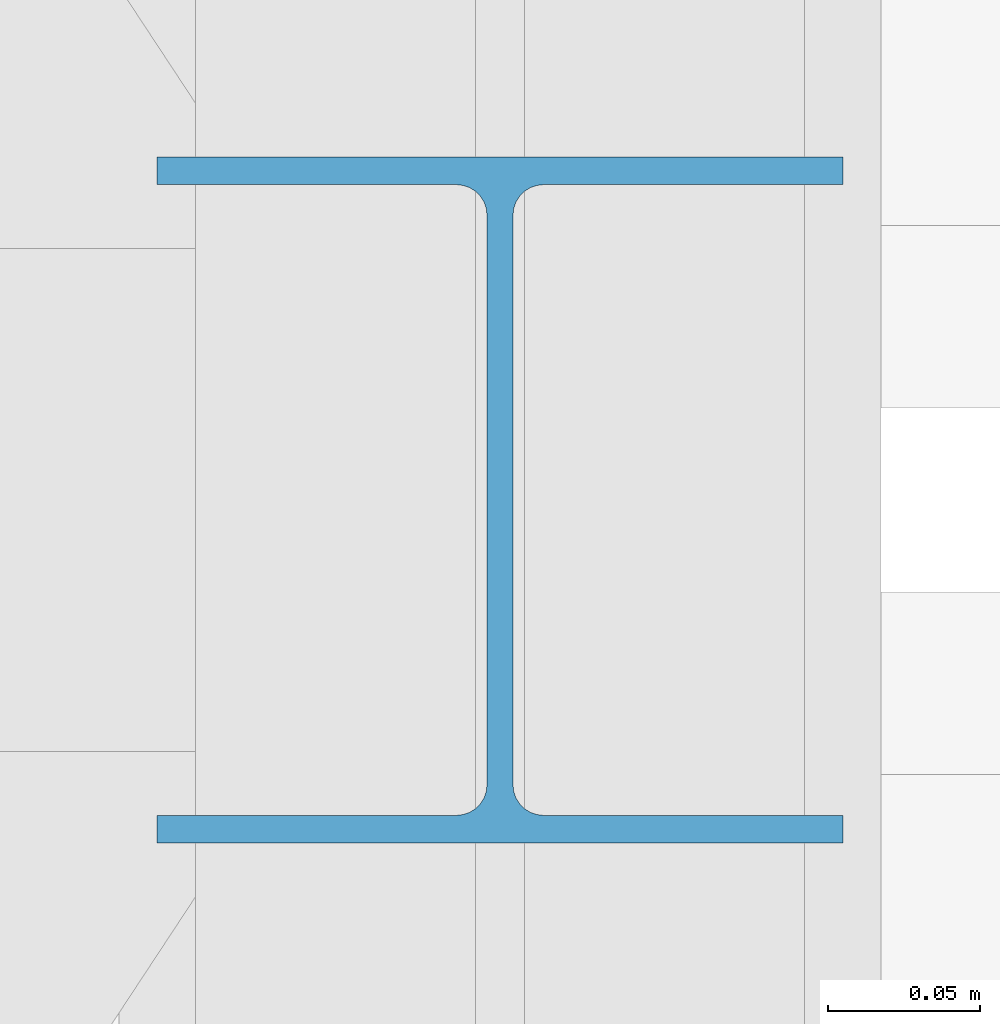
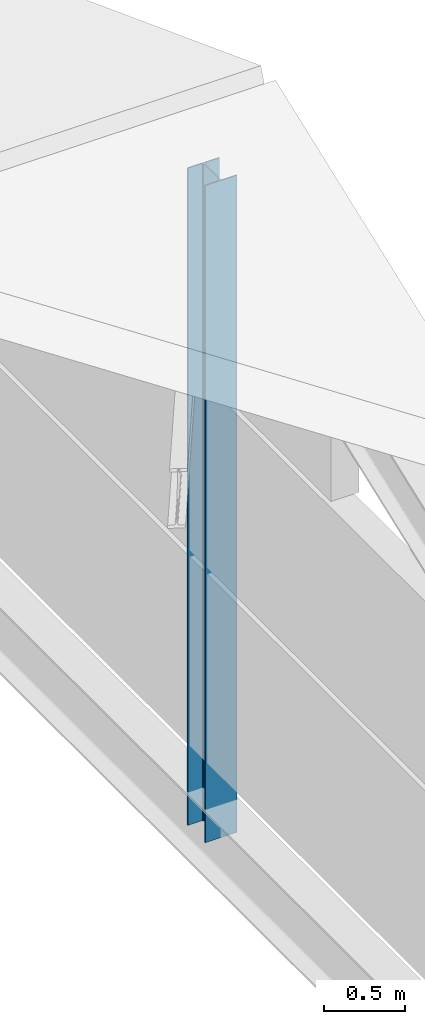
# One storey, part 59 of 163: 1 member.
"""IFC4 building model written with IfcOpenShell, lengths in metres."""

from ifc_helpers import new_model, si_unit, direction, frame, origin, origin_2d, place, context, subcontext, project, spatial, i_section, extrude, material, material_profile, profile_set, type_object, element, save


model = new_model("IFC4")

# Units and contexts
model_context = context("Model", 3, precision=1e-05, world=origin(), true_north=direction((0.0, 1.0)))
body_context = subcontext(model_context, "Body", "Model", "MODEL_VIEW")
ifc_project = project(units=[si_unit("LENGTHUNIT", "METRE"), si_unit("AREAUNIT", "SQUARE_METRE"), si_unit("VOLUMEUNIT", "CUBIC_METRE"), si_unit("PLANEANGLEUNIT", "RADIAN"), si_unit("MASSUNIT", "GRAM", prefix="KILO")], contexts=[model_context])

# Site, building, storey
site_placement = place(None, origin())
site = spatial("IfcSite", under=ifc_project, at=site_placement, CompositionType="ELEMENT")
building_placement = place(site_placement, origin())
building = spatial("IfcBuilding", under=site, at=building_placement, Name="Tharagai Park Tramway Depot", CompositionType="ELEMENT")
storey_placement = place(building_placement, frame((0.0, 0.0, 8.39990234375)))
storey = spatial("IfcBuildingStorey", under=building, at=storey_placement, Name="L02", CompositionType="ELEMENT", Elevation=8.39990234375)

# Member
ifc_material = material(Name="Steel E350", Category="steel")
ifc_material_profile = material_profile(ifc_material, i_section(OverallWidth=0.22509765625, OverallDepth=0.22509765625, WebThickness=0.008544921875, FlangeThickness=0.009033203125, FilletRadius=0.010009765625, at=origin_2d()), Name="ISHB 225")
ifc_profile_set = profile_set([ifc_material_profile], Name="Steel E350")
member_type = type_object("IfcMemberType", Name="BR-02", PredefinedType="BRACE", material=ifc_profile_set)
member_placement = place(storey_placement, frame((90.0, 76.5, -0.5), z_axis=(0.0, 0.0, 1.0), x_axis=(1.0, 0.0, 0.0)))
element("IfcMember", 1, at=member_placement, inside=storey, type_object=member_type, Name="V2B Gable King Strut BR-02", PredefinedType="BRACE", context=body_context, shape_type="SweptSolid", body=[
    extrude(i_section(OverallWidth=0.22509765625, OverallDepth=0.22509765625, WebThickness=0.008544921875, FlangeThickness=0.009033203125, FilletRadius=0.010009765625, at=origin_2d()), origin(), (0.0, 0.0, 1.0), 4.946044921875),
])

save(model, "model.ifc")
